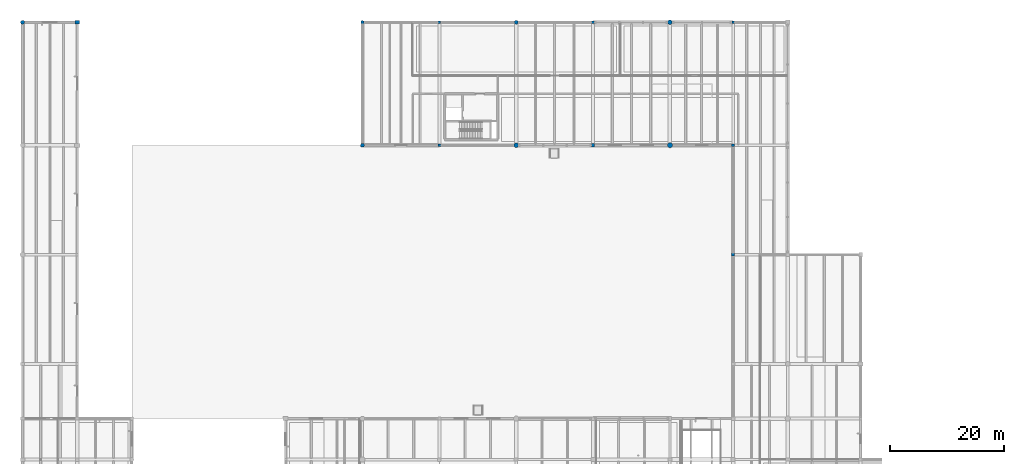
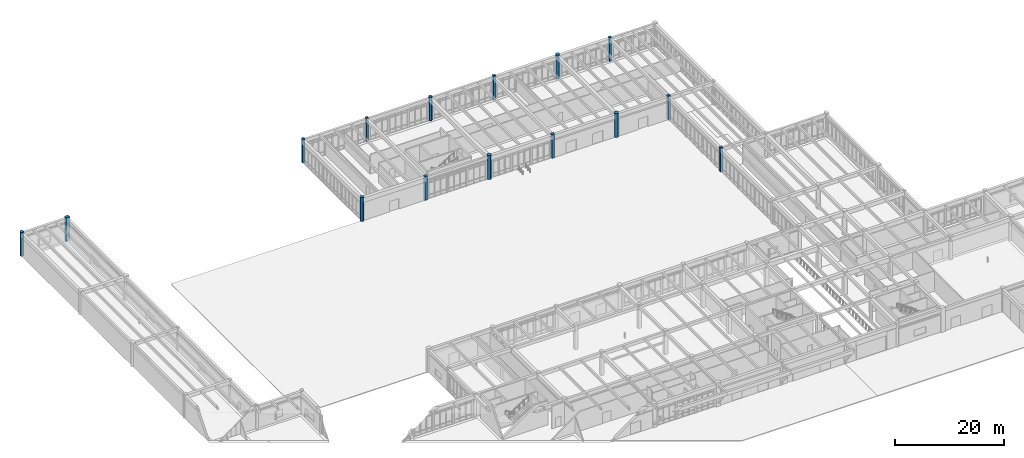
# One storey, part 2 of 138: 15 columns.
"""IFC4 building model written with IfcOpenShell, lengths in metres."""

from ifc_helpers import new_model, si_unit, direction, frame, origin, origin_2d, place, context, subcontext, project, spatial, rectangle, circle, extrude, material, material_profile, profile_set, type_object, element, save


model = new_model("IFC4")

# Units and contexts
model_context = context("Model", 3, precision=1e-05, world=origin(), true_north=direction((0.0, 1.0)))
body_context = subcontext(model_context, "Body", "Model", "MODEL_VIEW")
ifc_project = project(units=[si_unit("LENGTHUNIT", "METRE"), si_unit("AREAUNIT", "SQUARE_METRE"), si_unit("VOLUMEUNIT", "CUBIC_METRE"), si_unit("PLANEANGLEUNIT", "RADIAN"), si_unit("MASSUNIT", "GRAM", prefix="KILO")], contexts=[model_context])

# Site, building, storey
site_placement = place(None, origin())
site = spatial("IfcSite", under=ifc_project, at=site_placement, CompositionType="ELEMENT")
building_placement = place(site_placement, origin())
building = spatial("IfcBuilding", under=site, at=building_placement, Name="Fikremerkos Civic Library", CompositionType="ELEMENT")
storey_placement = place(building_placement, origin())
storey = spatial("IfcBuildingStorey", under=building, at=storey_placement, Name="L00", CompositionType="ELEMENT", Elevation=0.0)

# Columns
ifc_material_1 = material(Name="Concrete C40/50", Category="concrete")
ifc_material_profile_1 = material_profile(ifc_material_1, rectangle(XDim=0.550048828125, YDim=0.550048828125, at=origin_2d()), Name="RC 550x550")
ifc_profile_set_1 = profile_set([ifc_material_profile_1], Name="Concrete C40/50")
column_type_1 = type_object("IfcColumnType", Name="Structural column COL-10 RC 550x550", PredefinedType="COLUMN", material=ifc_profile_set_1)
for number, where, z_axis, x_axis, name in (
    (1, (100.199951171875, 96.0, 0.0), (0.0, 0.0, 1.0), (1.0, 0.0, 0.0), "Column COL-10 L00 9/M"),
    (2, (124.800048828125, 76.800048828125, 0.0), (0.0, 0.0, 1.0), (1.0, 0.0, 0.0), "Column COL-10 L00 11/L"),
):
    element("IfcColumn", number, at=place(storey_placement, frame(where, z_axis=z_axis, x_axis=x_axis)), inside=storey, type_object=column_type_1, Name=name, PredefinedType="COLUMN", context=body_context, shape_type="SweptSolid", body=[
        extrude(rectangle(XDim=0.550048828125, YDim=0.550048828125, at=origin_2d()), origin(), (0.0, 0.0, 1.0), 5.39990234375),
    ])
ifc_material_profile_2 = material_profile(ifc_material_1, rectangle(XDim=0.5, YDim=0.5, at=origin_2d()), Name="RC 500x500")
ifc_profile_set_2 = profile_set([ifc_material_profile_2], Name="Concrete C40/50")
column_type_2 = type_object("IfcColumnType", Name="Structural column COL-11 RC 500x500", PredefinedType="COLUMN", material=ifc_profile_set_2)
for number, where, z_axis, x_axis, name in (
    (3, (73.199951171875, 96.0, 0.0), (0.0, 0.0, 1.0), (1.0, 0.0, 0.0), "Column COL-11 L00 7/M"),
    (4, (100.199951171875, 117.60009765625, 0.0), (0.0, 0.0, 1.0), (1.0, 0.0, 0.0), "Column COL-11 L00 9/N"),
    (5, (124.800048828125, 96.0, 0.0), (0.0, 0.0, 1.0), (1.0, 0.0, 0.0), "Column COL-11 L00 11/M"),
):
    element("IfcColumn", number, at=place(storey_placement, frame(where, z_axis=z_axis, x_axis=x_axis)), inside=storey, type_object=column_type_2, Name=name, PredefinedType="COLUMN", context=body_context, shape_type="SweptSolid", body=[
        extrude(rectangle(XDim=0.5, YDim=0.5, at=origin_2d()), origin(), (0.0, 0.0, 1.0), 5.39990234375),
    ])
ifc_material_profile_3 = material_profile(ifc_material_1, rectangle(XDim=0.449951171875, YDim=0.449951171875, at=origin_2d()), Name="RC 450x450")
ifc_profile_set_3 = profile_set([ifc_material_profile_3], Name="Concrete C40/50")
column_type_3 = type_object("IfcColumnType", Name="Structural column COL-12 RC 450x450", PredefinedType="COLUMN", material=ifc_profile_set_3)
for number, where, z_axis, x_axis, name in (
    (6, (73.199951171875, 117.60009765625, 0.0), (0.0, 0.0, 1.0), (1.0, 0.0, 0.0), "Column COL-12 L00 7/N"),
    (7, (124.800048828125, 117.60009765625, 0.0), (0.0, 0.0, 1.0), (1.0, 0.0, 0.0), "Column COL-12 L00 11/N"),
):
    element("IfcColumn", number, at=place(storey_placement, frame(where, z_axis=z_axis, x_axis=x_axis)), inside=storey, type_object=column_type_3, Name=name, PredefinedType="COLUMN", context=body_context, shape_type="SweptSolid", body=[
        extrude(rectangle(XDim=0.449951171875, YDim=0.449951171875, at=origin_2d()), origin(), (0.0, 0.0, 1.0), 5.39990234375),
    ])
ifc_material_profile_4 = material_profile(ifc_material_1, rectangle(XDim=0.800048828125, YDim=0.60009765625, at=origin_2d()), Name="RC 800x600")
ifc_profile_set_4 = profile_set([ifc_material_profile_4], Name="Concrete C40/50")
column_type_4 = type_object("IfcColumnType", Name="Structural column COL-14 RC 800x600", PredefinedType="COLUMN", material=ifc_profile_set_4)
column_1_placement = place(storey_placement, frame((9.60009765625, 117.60009765625, 0.0), z_axis=(0.0, 0.0, 1.0), x_axis=(1.0, 0.0, 0.0)))
element("IfcColumn", 8, at=column_1_placement, inside=storey, type_object=column_type_4, Name="Column COL-14 L00 2/N", PredefinedType="COLUMN", context=body_context, shape_type="SweptSolid", body=[
    extrude(rectangle(XDim=0.800048828125, YDim=0.60009765625, at=origin_2d()), origin(), (0.0, 0.0, 1.0), 5.39990234375),
])
ifc_material_2 = material(Name="Concrete C45/55", Category="concrete")
ifc_material_profile_5 = material_profile(ifc_material_2, circle(Radius=0.449951171875, at=origin_2d()), Name="RC D900")
ifc_profile_set_5 = profile_set([ifc_material_profile_5], Name="Concrete C45/55")
column_type_5 = type_object("IfcColumnType", Name="Structural column COL-17 RC D900", PredefinedType="COLUMN", material=ifc_profile_set_5)
column_2_placement = place(storey_placement, frame((113.699951171875, 96.0, 0.0), z_axis=(0.0, 0.0, 1.0), x_axis=(1.0, 0.0, 0.0)))
element("IfcColumn", 9, at=column_2_placement, inside=storey, type_object=column_type_5, Name="Column COL-17 L00 10/M", PredefinedType="COLUMN", context=body_context, shape_type="SweptSolid", body=[
    extrude(circle(Radius=0.449951171875, at=origin_2d()), origin(), (0.0, 0.0, 1.0), 5.39990234375),
])
ifc_material_profile_6 = material_profile(ifc_material_1, circle(Radius=0.39990234375, at=origin_2d()), Name="RC D800")
ifc_profile_set_6 = profile_set([ifc_material_profile_6], Name="Concrete C40/50")
column_type_6 = type_object("IfcColumnType", Name="Structural column COL-18 RC D800", PredefinedType="COLUMN", material=ifc_profile_set_6)
for number, where, z_axis, x_axis, name in (
    (10, (86.699951171875, 96.0, 0.0), (0.0, 0.0, 1.0), (1.0, 0.0, 0.0), "Column COL-18 L00 8/M"),
    (11, (113.699951171875, 117.60009765625, 0.0), (0.0, 0.0, 1.0), (1.0, 0.0, 0.0), "Column COL-18 L00 10/N"),
):
    element("IfcColumn", number, at=place(storey_placement, frame(where, z_axis=z_axis, x_axis=x_axis)), inside=storey, type_object=column_type_6, Name=name, PredefinedType="COLUMN", context=body_context, shape_type="SweptSolid", body=[
        extrude(circle(Radius=0.39990234375, at=origin_2d()), origin(), (0.0, 0.0, 1.0), 5.39990234375),
    ])
ifc_material_profile_7 = material_profile(ifc_material_1, circle(Radius=0.35009765625, at=origin_2d()), Name="RC D700")
ifc_profile_set_7 = profile_set([ifc_material_profile_7], Name="Concrete C40/50")
column_type_7 = type_object("IfcColumnType", Name="Structural column COL-19 RC D700", PredefinedType="COLUMN", material=ifc_profile_set_7)
for number, where, z_axis, x_axis, name in (
    (12, (0.0, 117.60009765625, 0.0), (0.0, 0.0, 1.0), (1.0, 0.0, 0.0), "Column COL-19 L00 1/N"),
    (13, (59.699951171875, 96.0, 0.0), (0.0, 0.0, 1.0), (1.0, 0.0, 0.0), "Column COL-19 L00 6/M"),
    (14, (86.699951171875, 117.60009765625, 0.0), (0.0, 0.0, 1.0), (1.0, 0.0, 0.0), "Column COL-19 L00 8/N"),
):
    element("IfcColumn", number, at=place(storey_placement, frame(where, z_axis=z_axis, x_axis=x_axis)), inside=storey, type_object=column_type_7, Name=name, PredefinedType="COLUMN", context=body_context, shape_type="SweptSolid", body=[
        extrude(circle(Radius=0.35009765625, at=origin_2d()), origin(), (0.0, 0.0, 1.0), 5.39990234375),
    ])
ifc_material_profile_8 = material_profile(ifc_material_1, circle(Radius=0.300048828125, at=origin_2d()), Name="RC D600")
ifc_profile_set_8 = profile_set([ifc_material_profile_8], Name="Concrete C40/50")
column_type_8 = type_object("IfcColumnType", Name="Structural column COL-20 RC D600", PredefinedType="COLUMN", material=ifc_profile_set_8)
column_3_placement = place(storey_placement, frame((59.699951171875, 117.60009765625, 0.0), z_axis=(0.0, 0.0, 1.0), x_axis=(1.0, 0.0, 0.0)))
element("IfcColumn", 15, at=column_3_placement, inside=storey, type_object=column_type_8, Name="Column COL-20 L00 6/N", PredefinedType="COLUMN", context=body_context, shape_type="SweptSolid", body=[
    extrude(circle(Radius=0.300048828125, at=origin_2d()), origin(), (0.0, 0.0, 1.0), 5.39990234375),
])

save(model, "model.ifc")
